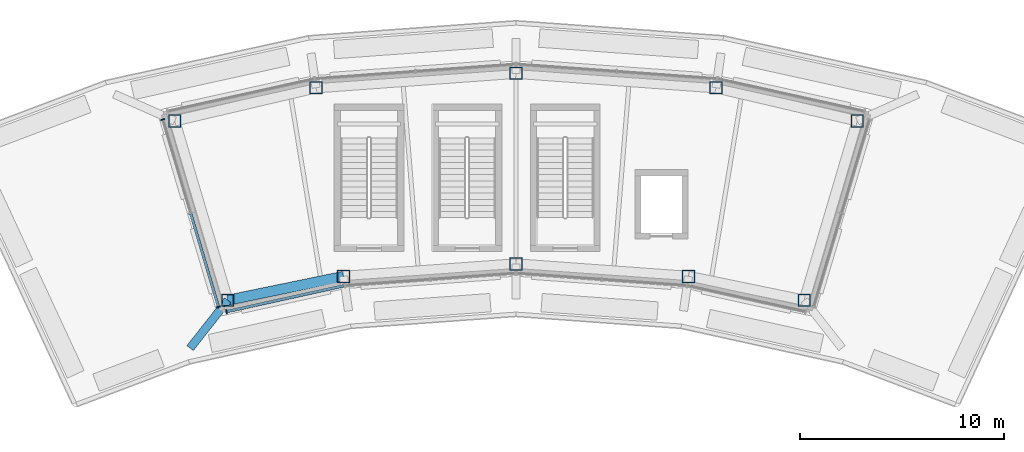
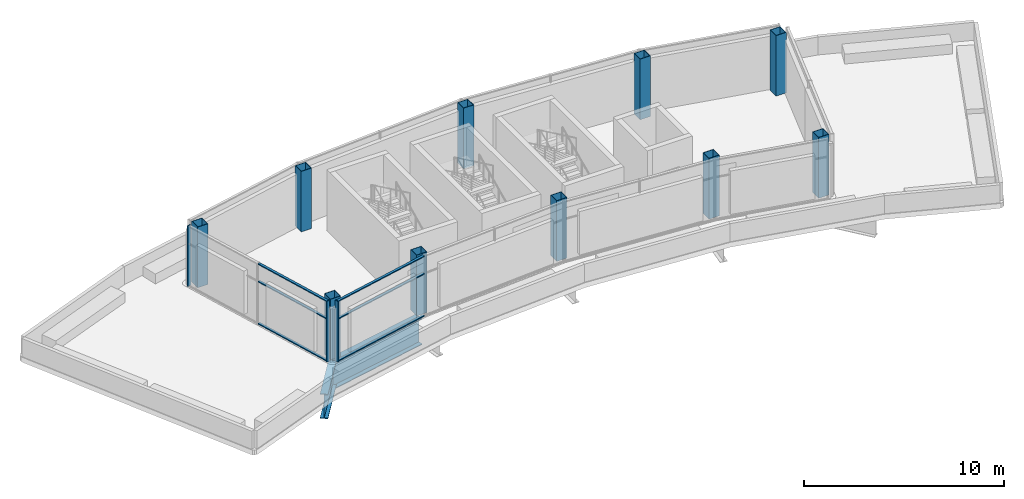
# One storey, part 1 of 7: 10 columns, 9 members, 2 beams, 2 elements without a shape of their own.
"""IFC4 building model written with IfcOpenShell, lengths in metres."""

from ifc_helpers import new_model, si_unit, direction, frame, origin, origin_2d, place, context, subcontext, project, spatial, rectangle, hollow_rectangle, i_section, extrude, material, layer, layer_set, material_profile, profile_set, type_object, element, aggregate, save


model = new_model("IFC4")

# Units and contexts
model_context = context("Model", 3, precision=1e-05, world=origin(), true_north=direction((0.0, 1.0)))
body_context = subcontext(model_context, "Body", "Model", "MODEL_VIEW")
ifc_project = project(units=[si_unit("LENGTHUNIT", "METRE"), si_unit("AREAUNIT", "SQUARE_METRE"), si_unit("VOLUMEUNIT", "CUBIC_METRE"), si_unit("PLANEANGLEUNIT", "RADIAN"), si_unit("MASSUNIT", "GRAM", prefix="KILO")], contexts=[model_context])

# Site, building, storey
site_placement = place(None, origin())
site = spatial("IfcSite", under=ifc_project, at=site_placement, CompositionType="ELEMENT")
building_placement = place(site_placement, origin())
building = spatial("IfcBuilding", under=site, at=building_placement, Name="Tuul Gate Civic Tower", CompositionType="ELEMENT")
storey_placement = place(building_placement, frame((0.0, 0.0, 376.10009765625)))
storey = spatial("IfcBuildingStorey", under=building, at=storey_placement, Name="Crown tier 3 lower", CompositionType="ELEMENT", Elevation=376.10009765625)

# Columns
ifc_material_1 = material(Name="Steel S355", Category="steel")
ifc_material_profile_1 = material_profile(ifc_material_1, hollow_rectangle(XDim=0.60009765625, YDim=0.60009765625, WallThickness=0.02490234375, at=origin_2d()), Name="BOX600x600x25")
ifc_profile_set_1 = profile_set([ifc_material_profile_1], Name="Steel S355")
column_type = type_object("IfcColumnType", Name="STR-COLUMN-BOX600x600x25", PredefinedType="COLUMN", material=ifc_profile_set_1)
for number, where, z_axis, x_axis, name in (
    (1, (18.885986328125, 5.48193359375, 0.0), (0.0, 0.0, 1.0), (1.0, 0.0, 0.0), "Column"),
    (2, (11.97509765625, 7.10302734375, 0.0), (0.0, 0.0, 1.0), (1.0, 0.0, 0.0), "Column"),
    (3, (2.19189453125, 7.81201171875, 0.0), (0.0, 0.0, 1.0), (1.0, 0.0, 0.0), "Column"),
    (4, (-7.591064453125, 7.10302734375, 0.0), (0.0, 0.0, 1.0), (1.0, 0.0, 0.0), "Column"),
    (5, (-14.501953125, 5.48193359375, 0.0), (0.0, 0.0, 1.0), (1.0, 0.0, 0.0), "Column"),
    (6, (-11.907958984375, -3.2890625, 0.0), (0.0, 0.0, 1.0), (1.0, 0.0, 0.0), "Column"),
    (7, (-6.2470703125, -2.1240234375, 0.0), (0.0, 0.0, 1.0), (1.0, 0.0, 0.0), "Column"),
    (8, (2.19189453125, -1.511962890625, 0.0), (0.0, 0.0, 1.0), (1.0, 0.0, 0.0), "Column"),
    (9, (10.631103515625, -2.1240234375, 0.0), (0.0, 0.0, 1.0), (1.0, 0.0, 0.0), "Column"),
    (10, (16.2919921875, -3.2890625, 0.0), (0.0, 0.0, 1.0), (1.0, 0.0, 0.0), "Column"),
):
    element("IfcColumn", number, at=place(storey_placement, frame(where, z_axis=z_axis, x_axis=x_axis)), inside=storey, type_object=column_type, Name=name, PredefinedType="COLUMN", context=body_context, shape_type="SweptSolid", body=[
        extrude(hollow_rectangle(XDim=0.60009765625, YDim=0.60009765625, WallThickness=0.02490234375, at=origin_2d()), origin(), (0.0, 0.0, 1.0), 3.699951171875),
    ])

# Curtain wall, members
ifc_material_2 = material(Name="Aluminium", Category="aluminium")
ifc_layer = layer(ifc_material_2, 0.199951171875)
ifc_layer_set = layer_set([ifc_layer], Name="Aluminium")
curtain_wall_type = type_object("IfcCurtainWallType", Name="Curtain wall CW5", PredefinedType="NOTDEFINED", material=ifc_layer_set)
curtain_wall_1_placement = place(storey_placement, origin())
curtain_wall_1 = element("IfcCurtainWall", 11, at=curtain_wall_1_placement, inside=storey, type_object=curtain_wall_type, Name="Curtain wall CW5", PredefinedType="NOTDEFINED")
ifc_material_3 = material(Name="Aluminium", Category="aluminium")
ifc_material_profile_2 = material_profile(ifc_material_3, rectangle(XDim=0.199951171875, YDim=0.06005859375, at=origin_2d()), Name="CW5 mullion")
ifc_profile_set_2 = profile_set([ifc_material_profile_2], Name="Aluminium")
member_type_1 = type_object("IfcMemberType", Name="CW5 mullion", PredefinedType="MULLION", material=ifc_profile_set_2)
member_1_placement = place(storey_placement, frame((-15.091552734375, 5.55126953125, 0.0), z_axis=(0.0, 0.0, 1.0), x_axis=(0.95847574458, 0.285174064481, 0.0)))
member_1 = element("IfcMember", 12, at=member_1_placement, type_object=member_type_1, Name="Mullion", PredefinedType="MULLION", context=body_context, shape_type="SweptSolid", body=[
    extrude(rectangle(XDim=0.199951171875, YDim=0.06005859375, at=origin_2d()), origin(), (0.0, 0.0, 1.0), 3.699951171875),
])
member_2_placement = place(storey_placement, frame((-12.363525390625, -3.6171875, 0.0), z_axis=(0.0, 0.0, 1.0), x_axis=(0.95847574458, 0.285174064481, 0.0)))
member_2 = element("IfcMember", 13, at=member_2_placement, type_object=member_type_1, Name="Mullion", PredefinedType="MULLION", context=body_context, shape_type="SweptSolid", body=[
    extrude(rectangle(XDim=0.199951171875, YDim=0.06005859375, at=origin_2d()), origin(), (0.0, 0.0, 1.0), 3.699951171875),
])

# Curtain wall, member
curtain_wall_2_placement = place(storey_placement, origin())
curtain_wall_2 = element("IfcCurtainWall", 14, at=curtain_wall_2_placement, inside=storey, type_object=curtain_wall_type, Name="Curtain wall CW5", PredefinedType="NOTDEFINED")
member_3_placement = place(storey_placement, frame((-11.9736328125, -3.846435546875, 0.0), z_axis=(0.0, 0.0, 1.0), x_axis=(-0.215242614215, 0.976560605916, 0.0)))
member_3 = element("IfcMember", 15, at=member_3_placement, type_object=member_type_1, Name="Mullion", PredefinedType="MULLION", context=body_context, shape_type="SweptSolid", body=[
    extrude(rectangle(XDim=0.199951171875, YDim=0.06005859375, at=origin_2d()), origin(), (0.0, 0.0, 1.0), 3.699951171875),
])

# Member
ifc_material_4 = material(Name="Aluminium", Category="aluminium")
ifc_material_profile_3 = material_profile(ifc_material_4, rectangle(XDim=0.139892578125, YDim=0.06005859375, at=origin_2d()), Name="CW5 transom")
ifc_profile_set_3 = profile_set([ifc_material_profile_3], Name="Aluminium")
member_type_2 = type_object("IfcMemberType", Name="CW5 transom", PredefinedType="USERDEFINED", material=ifc_profile_set_3)
member_4_placement = place(storey_placement, frame((-13.718994140625, 0.938232421875, 0.02978515625), z_axis=(0.285198756775, -0.958468397567, 0.0), x_axis=(0.958468397567, 0.285198756775, 0.0)))
member_4 = element("IfcMember", 16, at=member_4_placement, type_object=member_type_2, Name="Transom", ObjectType="TRANSOM", PredefinedType="USERDEFINED", context=body_context, shape_type="SweptSolid", body=[
    extrude(rectangle(XDim=0.139892578125, YDim=0.06005859375, at=origin_2d()), origin(), (0.0, 0.0, 1.0), 4.72265625),
])

member_5_placement = place(storey_placement, frame((-13.718994140625, 0.938232421875, 2.599853515625), z_axis=(0.285198756775, -0.958468397567, 0.0), x_axis=(0.958468397567, 0.285198756775, 0.0)))
member_5 = element("IfcMember", 17, at=member_5_placement, type_object=member_type_2, Name="Transom", ObjectType="TRANSOM", PredefinedType="USERDEFINED", context=body_context, shape_type="SweptSolid", body=[
    extrude(rectangle(XDim=0.139892578125, YDim=0.06005859375, at=origin_2d()), origin(), (0.0, 0.0, 1.0), 4.72265625),
])

member_6_placement = place(storey_placement, frame((-13.718994140625, 0.938232421875, 3.669921875), z_axis=(0.285198756775, -0.958468397567, 0.0), x_axis=(0.958468397567, 0.285198756775, 0.0)))
member_6 = element("IfcMember", 18, at=member_6_placement, type_object=member_type_2, Name="Transom", ObjectType="TRANSOM", PredefinedType="USERDEFINED", context=body_context, shape_type="SweptSolid", body=[
    extrude(rectangle(XDim=0.139892578125, YDim=0.06005859375, at=origin_2d()), origin(), (0.0, 0.0, 1.0), 4.72265625),
])

aggregate(curtain_wall_1, [member_1, member_2, member_4, member_5, member_6])

member_7_placement = place(storey_placement, frame((-11.9443359375, -3.840087890625, 0.02978515625), z_axis=(0.976564228316, 0.215226178642, 0.0), x_axis=(-0.215226178642, 0.976564228316, 0.0)))
member_7 = element("IfcMember", 19, at=member_7_placement, type_object=member_type_2, Name="Transom", ObjectType="TRANSOM", PredefinedType="USERDEFINED", context=body_context, shape_type="SweptSolid", body=[
    extrude(rectangle(XDim=0.139892578125, YDim=0.06005859375, at=origin_2d()), origin(), (0.0, 0.0, 1.0), 5.8408203125),
])

member_8_placement = place(storey_placement, frame((-11.9443359375, -3.840087890625, 2.599853515625), z_axis=(0.976564228316, 0.215226178642, 0.0), x_axis=(-0.215226178642, 0.976564228316, 0.0)))
member_8 = element("IfcMember", 20, at=member_8_placement, type_object=member_type_2, Name="Transom", ObjectType="TRANSOM", PredefinedType="USERDEFINED", context=body_context, shape_type="SweptSolid", body=[
    extrude(rectangle(XDim=0.139892578125, YDim=0.06005859375, at=origin_2d()), origin(), (0.0, 0.0, 1.0), 5.8408203125),
])

member_9_placement = place(storey_placement, frame((-11.9443359375, -3.840087890625, 3.669921875), z_axis=(0.976564228316, 0.215226178642, 0.0), x_axis=(-0.215226178642, 0.976564228316, 0.0)))
member_9 = element("IfcMember", 21, at=member_9_placement, type_object=member_type_2, Name="Transom", ObjectType="TRANSOM", PredefinedType="USERDEFINED", context=body_context, shape_type="SweptSolid", body=[
    extrude(rectangle(XDim=0.139892578125, YDim=0.06005859375, at=origin_2d()), origin(), (0.0, 0.0, 1.0), 5.8408203125),
])

aggregate(curtain_wall_2, [member_3, member_7, member_8, member_9])

# Beams
ifc_material_5 = material(Name="Steel S355", Category="steel")
ifc_material_profile_4 = material_profile(ifc_material_5, i_section(OverallWidth=0.39990234375, OverallDepth=1.5, WebThickness=0.02490234375, FlangeThickness=0.0400390625, at=origin_2d()), Name="PG1500x400x25x40")
ifc_profile_set_4 = profile_set([ifc_material_profile_4], Name="Steel S355")
beam_type_1 = type_object("IfcBeamType", Name="STR-FLOOR BEAM-PG1500x400x25x40", PredefinedType="BEAM", material=ifc_profile_set_4)
beam_1_placement = place(storey_placement, frame((-13.75244140625, -5.63134765625, -1.050048828125), z_axis=(0.618674698068, 0.785647260525, 0.0), x_axis=(-0.785647260525, 0.618674698068, 0.0)))
element("IfcBeam", 22, at=beam_1_placement, inside=storey, type_object=beam_type_1, Name="Ring girder stub", PredefinedType="BEAM", context=body_context, shape_type="SweptSolid", body=[
    extrude(i_section(OverallWidth=0.39990234375, OverallDepth=1.5, WebThickness=0.02490234375, FlangeThickness=0.0400390625, at=origin_2d()), origin(), (0.0, 0.0, 1.0), 2.9814453125),
])
ifc_material_6 = material(Name="Steel S355", Category="steel")
ifc_material_profile_5 = material_profile(ifc_material_6, i_section(OverallWidth=0.5, OverallDepth=1.60009765625, WebThickness=0.02490234375, FlangeThickness=0.044921875, at=origin_2d()), Name="PG1600x500x25x45")
ifc_profile_set_5 = profile_set([ifc_material_profile_5], Name="Steel S355")
beam_type_2 = type_object("IfcBeamType", Name="STR-RING BEAM-PG1600x500x25x45", PredefinedType="BEAM", material=ifc_profile_set_5)
beam_2_placement = place(storey_placement, frame((-11.907958984375, -3.2890625, -1.10009765625), z_axis=(0.979472009403, 0.201580214296, 0.0), x_axis=(-0.201580214296, 0.979472009403, 0.0)))
element("IfcBeam", 23, at=beam_2_placement, inside=storey, type_object=beam_type_2, Name="Ring girder", PredefinedType="BEAM", context=body_context, shape_type="SweptSolid", body=[
    extrude(i_section(OverallWidth=0.5, OverallDepth=1.60009765625, WebThickness=0.02490234375, FlangeThickness=0.044921875, at=origin_2d()), origin(), (0.0, 0.0, 1.0), 5.779541015625),
])

save(model, "model.ifc")
